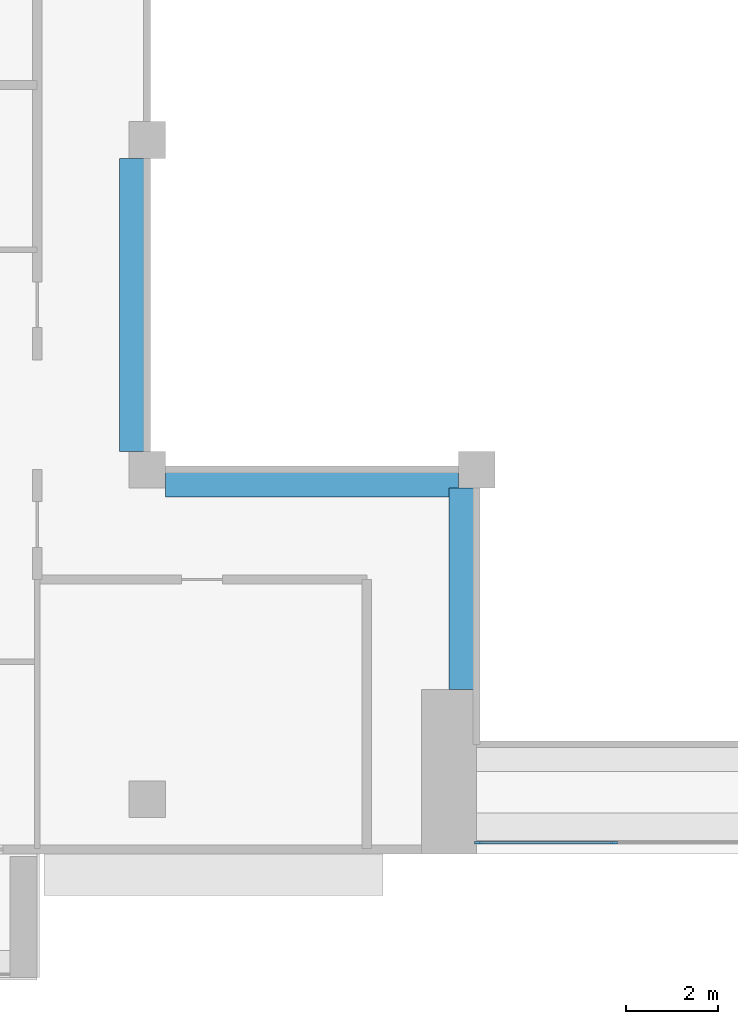
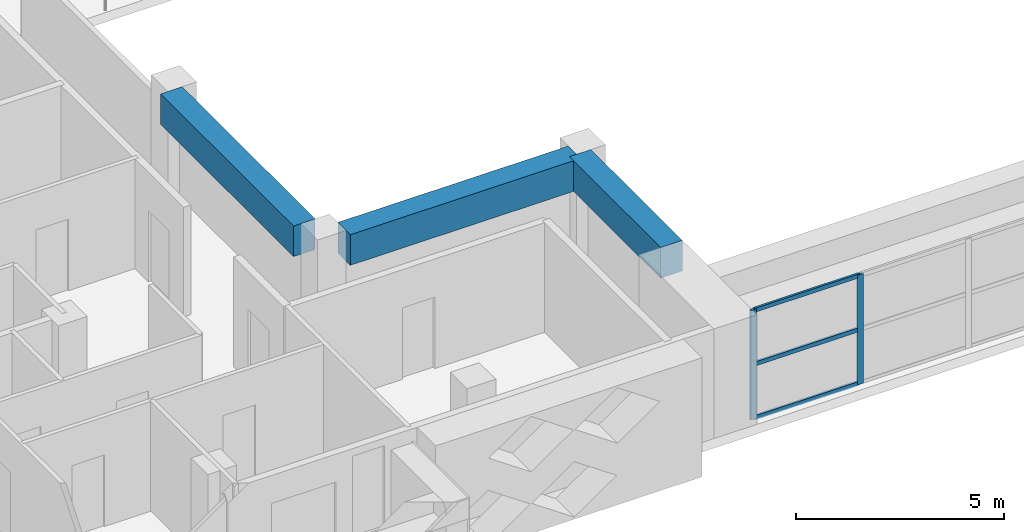
# One storey, part 2 of 19: 5 members, 3 beams, 1 element without a shape of its own.
"""IFC4 building model written with IfcOpenShell, lengths in metres."""

from ifc_helpers import new_model, si_unit, direction, frame, origin, origin_2d, place, context, subcontext, project, spatial, rectangle, extrude, source, transform, mapped, material, layer, layer_set, material_profile, profile_set, type_object, element, aggregate, save


model = new_model("IFC4")

# Units and contexts
model_context = context("Model", 3, precision=1e-05, world=origin(), true_north=direction((0.0, 1.0)))
body_context = subcontext(model_context, "Body", "Model", "MODEL_VIEW")
ifc_project = project(units=[si_unit("LENGTHUNIT", "METRE"), si_unit("AREAUNIT", "SQUARE_METRE"), si_unit("VOLUMEUNIT", "CUBIC_METRE"), si_unit("PLANEANGLEUNIT", "RADIAN"), si_unit("MASSUNIT", "GRAM", prefix="KILO")], contexts=[model_context])

# Site, building, storey
site_placement = place(None, origin())
site = spatial("IfcSite", under=ifc_project, at=site_placement, CompositionType="ELEMENT")
building_placement = place(site_placement, origin())
building = spatial("IfcBuilding", under=site, at=building_placement, Name="Saffron Iwan Residences", CompositionType="ELEMENT")
storey_placement = place(building_placement, frame((0.0, 0.0, 239.5)))
storey = spatial("IfcBuildingStorey", under=building, at=storey_placement, Name="L64", CompositionType="ELEMENT", Elevation=239.5)

# Beams
ifc_material_1 = material(Name="Concrete C40/50", Category="concrete")
ifc_material_profile_1 = material_profile(ifc_material_1, rectangle(XDim=0.60009765625, YDim=0.89990234375, at=origin_2d()), Name="RC 600x900")
ifc_profile_set_1 = profile_set([ifc_material_profile_1], Name="Concrete C40/50")
beam_type = type_object("IfcBeamType", Name="BEAM RC 600x900 C40/50 TOP 3220", PredefinedType="BEAM", material=ifc_profile_set_1)
shared_shape_1 = source(origin(), body_context, "Body", "SweptSolid", [
    extrude(rectangle(XDim=0.60009765625, YDim=0.89990234375, at=origin_2d()), origin(), (0.0, 0.0, 1.0), 4.400146484375),
])
beam_placement = place(storey_placement, frame((42.89990234375, 43.199951171875, 2.77001953125), z_axis=(0.0, 1.0, 0.0), x_axis=(-1.0, 0.0, 0.0)))
element("IfcBeam", 1, at=beam_placement, inside=storey, type_object=beam_type, Name="Atrium edge beam", PredefinedType="BEAM", context=body_context, shape_type="MappedRepresentation", body=[
    mapped(shared_shape_1, transform((0.0, 0.0, 0.0))),
])
shared_shape_2 = source(origin(), body_context, "Body", "SweptSolid", [
    extrude(rectangle(XDim=0.60009765625, YDim=0.89990234375, at=origin_2d()), origin(), (0.0, 0.0, 1.0), 6.400146484375),
])
for number, where, z_axis, x_axis, name in (
    (2, (42.800048828125, 47.699951171875, 2.77001953125), (-1.0, 0.0, 0.0), (0.0, -1.0, 0.0), "Atrium edge beam"),
    (3, (35.699951171875, 48.39990234375, 2.77001953125), (0.0, 1.0, 0.0), (-1.0, 0.0, 0.0), "Atrium edge beam"),
):
    element("IfcBeam", number, at=place(storey_placement, frame(where, z_axis=z_axis, x_axis=x_axis)), inside=storey, type_object=beam_type, Name=name, PredefinedType="BEAM", context=body_context, shape_type="MappedRepresentation", body=[
        mapped(shared_shape_2, transform((0.0, 0.0, 0.0))),
    ])

# Curtain wall, members
ifc_material_2 = material(Name="Clear glass, laminated double glazed", Category="glass")
ifc_layer = layer(ifc_material_2, 0.199951171875)
ifc_layer_set = layer_set([ifc_layer], Name="Clear glass, laminated double glazed")
curtain_wall_type = type_object("IfcCurtainWallType", Name="CW-B IWAN PORTAL", PredefinedType="NOTDEFINED", material=ifc_layer_set)
curtain_wall_placement = place(storey_placement, origin())
curtain_wall = element("IfcCurtainWall", 4, at=curtain_wall_placement, inside=storey, type_object=curtain_wall_type, Name="Iwan portal glazing L64.1", PredefinedType="NOTDEFINED")
ifc_material_3 = material(Name="Aluminium 6063-T6", Category="aluminium")
ifc_material_profile_2 = material_profile(ifc_material_3, rectangle(XDim=0.06005859375, YDim=0.1201171875, at=origin_2d()), Name="CW-B TRANSOM 60 x 120")
ifc_profile_set_2 = profile_set([ifc_material_profile_2], Name="Aluminium 6063-T6")
member_type_1 = type_object("IfcMemberType", Name="CW-B TRANSOM 60 x 120", PredefinedType="USERDEFINED", material=ifc_profile_set_2)
shared_shape_3 = source(origin(), body_context, "Body", "SweptSolid", [
    extrude(rectangle(XDim=0.06005859375, YDim=0.1201171875, at=origin_2d()), origin(), (0.0, 0.0, 1.0), 2.909912109375),
])
member_1_placement = place(storey_placement, frame((43.260009765625, 39.85009765625, 0.030029296875), z_axis=(1.0, 0.0, 0.0), x_axis=(0.0, 1.0, 0.0)))
member_1 = element("IfcMember", 5, at=member_1_placement, type_object=member_type_1, Name="CW-B transom 1.1", ObjectType="TRANSOM", PredefinedType="USERDEFINED", context=body_context, shape_type="MappedRepresentation", body=[
    mapped(shared_shape_3, transform((0.0, 0.0, 0.0))),
])
member_2_placement = place(storey_placement, frame((43.260009765625, 39.85009765625, 1.610107421875), z_axis=(1.0, 0.0, 0.0), x_axis=(0.0, 1.0, 0.0)))
member_2 = element("IfcMember", 6, at=member_2_placement, type_object=member_type_1, Name="CW-B transom 1.2", ObjectType="TRANSOM", PredefinedType="USERDEFINED", context=body_context, shape_type="MappedRepresentation", body=[
    mapped(shared_shape_3, transform((0.0, 0.0, 0.0))),
])
member_3_placement = place(storey_placement, frame((43.260009765625, 39.85009765625, 3.18994140625), z_axis=(1.0, 0.0, 0.0), x_axis=(0.0, 1.0, 0.0)))
member_3 = element("IfcMember", 7, at=member_3_placement, type_object=member_type_1, Name="CW-B transom 1.3", ObjectType="TRANSOM", PredefinedType="USERDEFINED", context=body_context, shape_type="MappedRepresentation", body=[
    mapped(shared_shape_3, transform((0.0, 0.0, 0.0))),
])
ifc_material_profile_3 = material_profile(ifc_material_3, rectangle(XDim=0.06005859375, YDim=0.159912109375, at=origin_2d()), Name="CW-B MULLION 60 x 160")
ifc_profile_set_3 = profile_set([ifc_material_profile_3], Name="Aluminium 6063-T6")
member_type_2 = type_object("IfcMemberType", Name="CW-B MULLION 60 x 160", PredefinedType="MULLION", material=ifc_profile_set_3)
shared_shape_4 = source(origin(), body_context, "Body", "SweptSolid", [
    extrude(rectangle(XDim=0.06005859375, YDim=0.159912109375, at=origin_2d()), origin(), (0.0, 0.0, 1.0), 3.219970703125),
])
member_4_placement = place(storey_placement, frame((43.22998046875, 39.85009765625, 0.0), z_axis=(0.0, 0.0, 1.0), x_axis=(0.0, 1.0, 0.0)))
member_4 = element("IfcMember", 8, at=member_4_placement, type_object=member_type_2, Name="CW-B mullion 1", PredefinedType="MULLION", context=body_context, shape_type="MappedRepresentation", body=[
    mapped(shared_shape_4, transform((0.0, 0.0, 0.0))),
])
member_5_placement = place(storey_placement, frame((46.199951171875, 39.85009765625, 0.0), z_axis=(0.0, 0.0, 1.0), x_axis=(0.0, 1.0, 0.0)))
member_5 = element("IfcMember", 9, at=member_5_placement, type_object=member_type_2, Name="CW-B mullion 2", PredefinedType="MULLION", context=body_context, shape_type="MappedRepresentation", body=[
    mapped(shared_shape_4, transform((0.0, 0.0, 0.0))),
])
aggregate(curtain_wall, [member_4, member_5, member_1, member_2, member_3])

save(model, "model.ifc")
